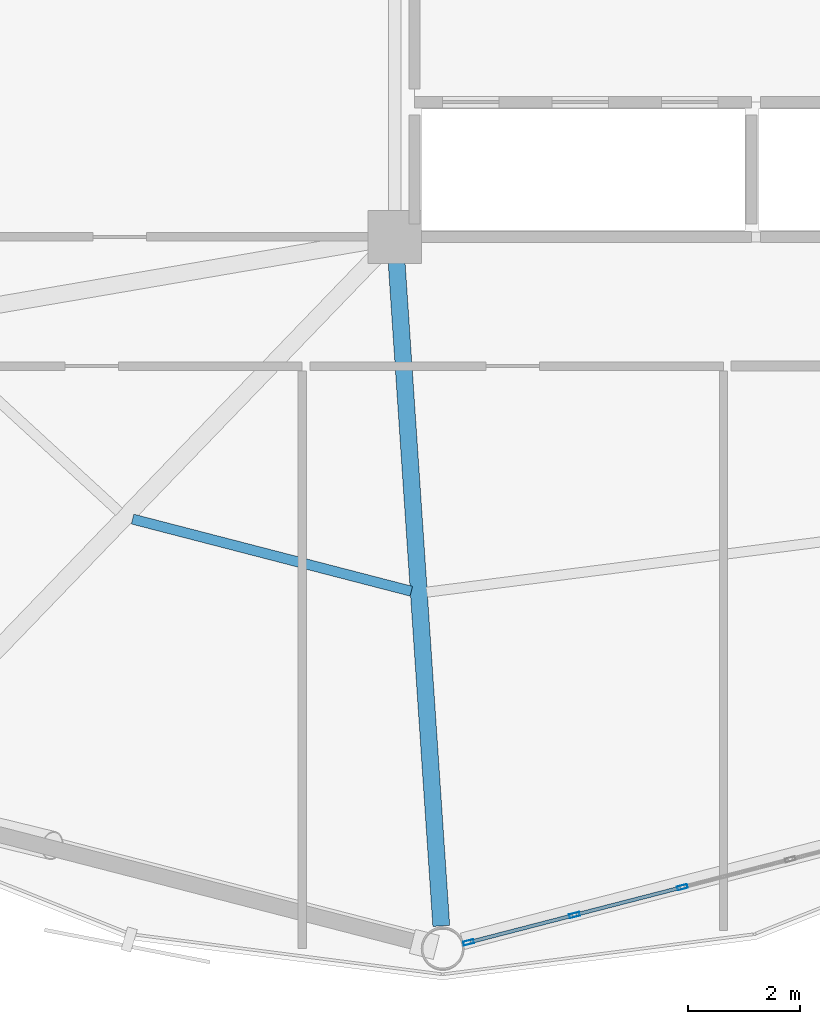
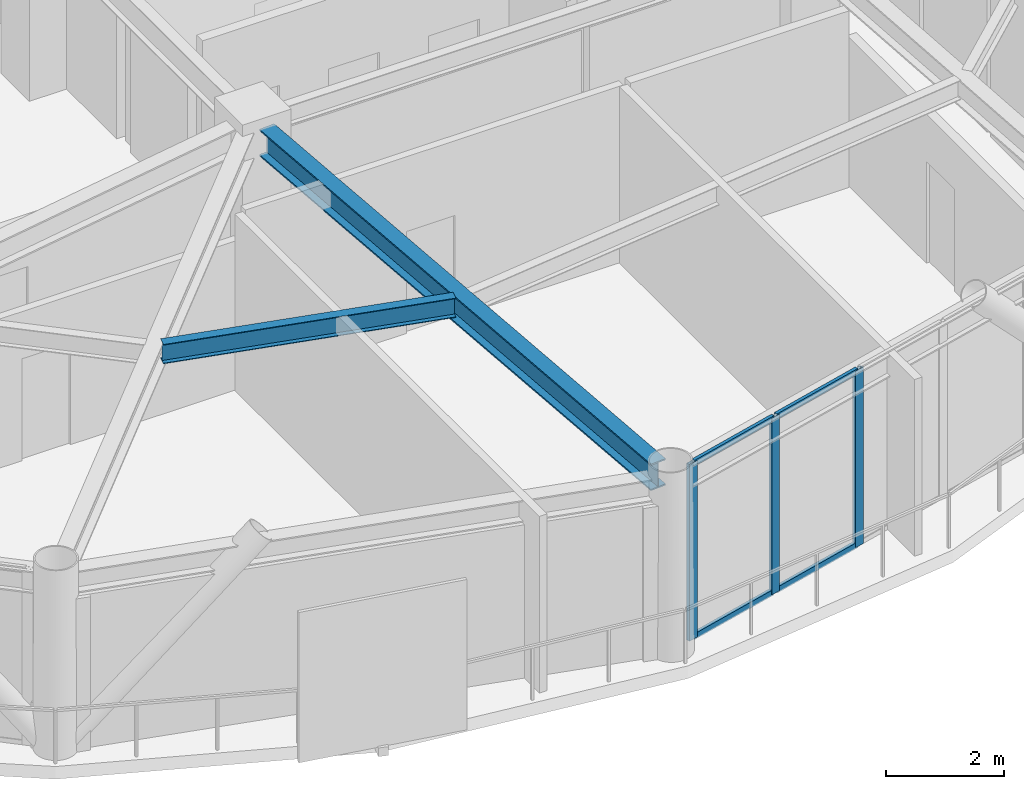
# One storey, part 7 of 27: 7 members, 2 beams, 1 element without a shape of its own.
"""IFC4 building model written with IfcOpenShell, lengths in metres."""

from ifc_helpers import new_model, si_unit, direction, frame, origin, origin_2d, place, context, subcontext, project, spatial, hollow_rectangle, i_section, extrude, material, layer, layer_set, material_profile, profile_set, type_object, element, aggregate, save


model = new_model("IFC4")

# Units and contexts
model_context = context("Model", 3, precision=1e-05, world=origin(), true_north=direction((0.0, 1.0)))
body_context = subcontext(model_context, "Body", "Model", "MODEL_VIEW")
ifc_project = project(units=[si_unit("LENGTHUNIT", "METRE"), si_unit("AREAUNIT", "SQUARE_METRE"), si_unit("VOLUMEUNIT", "CUBIC_METRE"), si_unit("PLANEANGLEUNIT", "RADIAN"), si_unit("MASSUNIT", "GRAM", prefix="KILO")], contexts=[model_context])

# Site, building, storey
site_placement = place(None, origin())
site = spatial("IfcSite", under=ifc_project, at=site_placement, CompositionType="ELEMENT")
building_placement = place(site_placement, origin())
building = spatial("IfcBuilding", under=site, at=building_placement, Name="Varnakorn Sky Granary", CompositionType="ELEMENT")
storey_placement = place(building_placement, frame((0.0, 0.0, 134.39990234375)))
storey = spatial("IfcBuildingStorey", under=building, at=storey_placement, Name="L33", CompositionType="ELEMENT", Elevation=134.39990234375)

# Beams
ifc_material_1 = material(Name="Steel S355JR", Category="steel")
ifc_material_profile_1 = material_profile(ifc_material_1, i_section(OverallWidth=0.300048828125, OverallDepth=0.550048828125, WebThickness=0.014892578125, FlangeThickness=0.029052734375, at=origin_2d()), Name="HE 550 B")
ifc_profile_set_1 = profile_set([ifc_material_profile_1], Name="Steel S355JR")
beam_type_1 = type_object("IfcBeamType", Name="BM-RAD-Z3", PredefinedType="BEAM", material=ifc_profile_set_1)
beam_1_placement = place(storey_placement, frame((-2.32177734375, -7.01904296875, 3.364990234375), z_axis=(0.067134489091, -0.997743935273, 0.0), x_axis=(0.997743935273, 0.067134489091, 0.0)))
element("IfcBeam", 1, at=beam_1_placement, inside=storey, type_object=beam_type_1, Name="Radial Floor Girder RG10 L33", PredefinedType="BEAM", context=body_context, shape_type="SweptSolid", body=[
    extrude(i_section(OverallWidth=0.300048828125, OverallDepth=0.550048828125, WebThickness=0.014892578125, FlangeThickness=0.029052734375, at=origin_2d()), origin(), (0.0, 0.0, 1.0), 11.87353515625),
])
ifc_material_profile_2 = material_profile(ifc_material_1, i_section(OverallWidth=0.179931640625, OverallDepth=0.39990234375, WebThickness=0.008544921875, FlangeThickness=0.013427734375, at=origin_2d()), Name="IPE 400")
ifc_profile_set_2 = profile_set([ifc_material_profile_2], Name="Steel S355JR")
beam_type_2 = type_object("IfcBeamType", Name="BM-SEC-Z3", PredefinedType="BEAM", material=ifc_profile_set_2)
beam_2_placement = place(storey_placement, frame((-7.020263671875, -11.623291015625, 3.440185546875), z_axis=(0.968100108473, -0.25056372438, 0.0), x_axis=(0.25056372438, 0.968100108473, 0.0)))
element("IfcBeam", 2, at=beam_2_placement, inside=storey, type_object=beam_type_2, Name="Secondary Floor Chord Beam MSB09 L33", PredefinedType="BEAM", context=body_context, shape_type="SweptSolid", body=[
    extrude(i_section(OverallWidth=0.179931640625, OverallDepth=0.39990234375, WebThickness=0.008544921875, FlangeThickness=0.013427734375, at=origin_2d()), origin(), (0.0, 0.0, 1.0), 5.125244140625),
])

# Curtain wall, members
ifc_material_2 = material(Name="Anodised Bronze Aluminium Alloy 6063-T6", Category="aluminium")
ifc_layer = layer(ifc_material_2, 0.179931640625, Name="Anodised Bronze Aluminium Alloy 6063-T6")
ifc_layer_set = layer_set([ifc_layer], Name="Anodised Bronze Aluminium Alloy 6063-T6")
curtain_wall_type = type_object("IfcCurtainWallType", Name="CW-FRM-2", PredefinedType="USERDEFINED", material=ifc_layer_set)
curtain_wall_placement = place(storey_placement, origin())
curtain_wall = element("IfcCurtainWall", 3, at=curtain_wall_placement, inside=storey, type_object=curtain_wall_type, Name="Unitised Curtain Wall CW4 CW-L33-B10", ObjectType="CURTAIN WALL", PredefinedType="USERDEFINED")
ifc_material_profile_3 = material_profile(ifc_material_2, hollow_rectangle(XDim=0.070068359375, YDim=0.18505859375, WallThickness=0.00390625, at=origin_2d()), Name="ALU MULL 70x185")
ifc_profile_set_3 = profile_set([ifc_material_profile_3], Name="Anodised Bronze Aluminium Alloy 6063-T6")
member_type_1 = type_object("IfcMemberType", Name="CW-FRM-2-MULL", PredefinedType="MULLION", material=ifc_profile_set_3)
member_1_placement = place(storey_placement, frame((2.768310546875, -18.177001953125, 0.0), z_axis=(0.0, 0.0, 1.0), x_axis=(0.249979863344, -0.968251035591, 0.0)))
member_1 = element("IfcMember", 4, at=member_1_placement, type_object=member_type_1, Name="CW4 mullion 4", PredefinedType="MULLION", context=body_context, shape_type="SweptSolid", body=[
    extrude(hollow_rectangle(XDim=0.070068359375, YDim=0.18505859375, WallThickness=0.00390625, at=origin_2d()), origin(), (0.0, 0.0, 1.0), 3.64013671875),
])
member_2_placement = place(storey_placement, frame((0.84765625, -18.6728515625, 0.0), z_axis=(0.0, 0.0, 1.0), x_axis=(0.249979863344, -0.968251035591, 0.0)))
member_2 = element("IfcMember", 5, at=member_2_placement, type_object=member_type_1, Name="CW4 mullion 5", PredefinedType="MULLION", context=body_context, shape_type="SweptSolid", body=[
    extrude(hollow_rectangle(XDim=0.070068359375, YDim=0.18505859375, WallThickness=0.00390625, at=origin_2d()), origin(), (0.0, 0.0, 1.0), 3.64013671875),
])
member_3_placement = place(storey_placement, frame((-1.0390625, -19.16015625, 0.0), z_axis=(0.0, 0.0, 1.0), x_axis=(0.249979863344, -0.968251035591, 0.0)))
member_3 = element("IfcMember", 6, at=member_3_placement, type_object=member_type_1, Name="CW4 mullion 6", PredefinedType="MULLION", context=body_context, shape_type="SweptSolid", body=[
    extrude(hollow_rectangle(XDim=0.070068359375, YDim=0.18505859375, WallThickness=0.00390625, at=origin_2d()), origin(), (0.0, 0.0, 1.0), 3.64013671875),
])
ifc_material_profile_4 = material_profile(ifc_material_2, hollow_rectangle(XDim=0.06494140625, YDim=0.1201171875, WallThickness=0.00341796875, at=origin_2d()), Name="ALU TRAN 65x120")
ifc_profile_set_4 = profile_set([ifc_material_profile_4], Name="Anodised Bronze Aluminium Alloy 6063-T6")
member_type_2 = type_object("IfcMemberType", Name="CW-FRM-2-TRAN", PredefinedType="USERDEFINED", material=ifc_profile_set_4)
member_4_placement = place(storey_placement, frame((2.734619140625, -18.185791015625, 0.03271484375), z_axis=(-0.96826836196, -0.249912743225, 0.0), x_axis=(0.249912743225, -0.96826836196, 0.0)))
member_4 = element("IfcMember", 7, at=member_4_placement, type_object=member_type_2, Name="CW4 transom 4.1", ObjectType="TRANSOM", PredefinedType="USERDEFINED", context=body_context, shape_type="SweptSolid", body=[
    extrude(hollow_rectangle(XDim=0.06494140625, YDim=0.1201171875, WallThickness=0.00341796875, at=origin_2d()), origin(), (0.0, 0.0, 1.0), 1.913818359375),
])
member_5_placement = place(storey_placement, frame((2.734619140625, -18.185791015625, 3.607666015625), z_axis=(-0.96826836196, -0.249912743225, 0.0), x_axis=(0.249912743225, -0.96826836196, 0.0)))
member_5 = element("IfcMember", 8, at=member_5_placement, type_object=member_type_2, Name="CW4 transom 4.2", ObjectType="TRANSOM", PredefinedType="USERDEFINED", context=body_context, shape_type="SweptSolid", body=[
    extrude(hollow_rectangle(XDim=0.06494140625, YDim=0.1201171875, WallThickness=0.00341796875, at=origin_2d()), origin(), (0.0, 0.0, 1.0), 1.913818359375),
])
member_6_placement = place(storey_placement, frame((0.813720703125, -18.681640625, 0.03271484375), z_axis=(-0.968232676684, -0.250050962408, 0.0), x_axis=(0.250050962408, -0.968232676684, 0.0)))
member_6 = element("IfcMember", 9, at=member_6_placement, type_object=member_type_2, Name="CW4 transom 5.1", ObjectType="TRANSOM", PredefinedType="USERDEFINED", context=body_context, shape_type="SweptSolid", body=[
    extrude(hollow_rectangle(XDim=0.06494140625, YDim=0.1201171875, WallThickness=0.00341796875, at=origin_2d()), origin(), (0.0, 0.0, 1.0), 1.87841796875),
])
member_7_placement = place(storey_placement, frame((0.813720703125, -18.681640625, 3.607666015625), z_axis=(-0.968232676684, -0.250050962408, 0.0), x_axis=(0.250050962408, -0.968232676684, 0.0)))
member_7 = element("IfcMember", 10, at=member_7_placement, type_object=member_type_2, Name="CW4 transom 5.2", ObjectType="TRANSOM", PredefinedType="USERDEFINED", context=body_context, shape_type="SweptSolid", body=[
    extrude(hollow_rectangle(XDim=0.06494140625, YDim=0.1201171875, WallThickness=0.00341796875, at=origin_2d()), origin(), (0.0, 0.0, 1.0), 1.87841796875),
])
aggregate(curtain_wall, [member_1, member_2, member_3, member_4, member_5, member_6, member_7])

save(model, "model.ifc")
